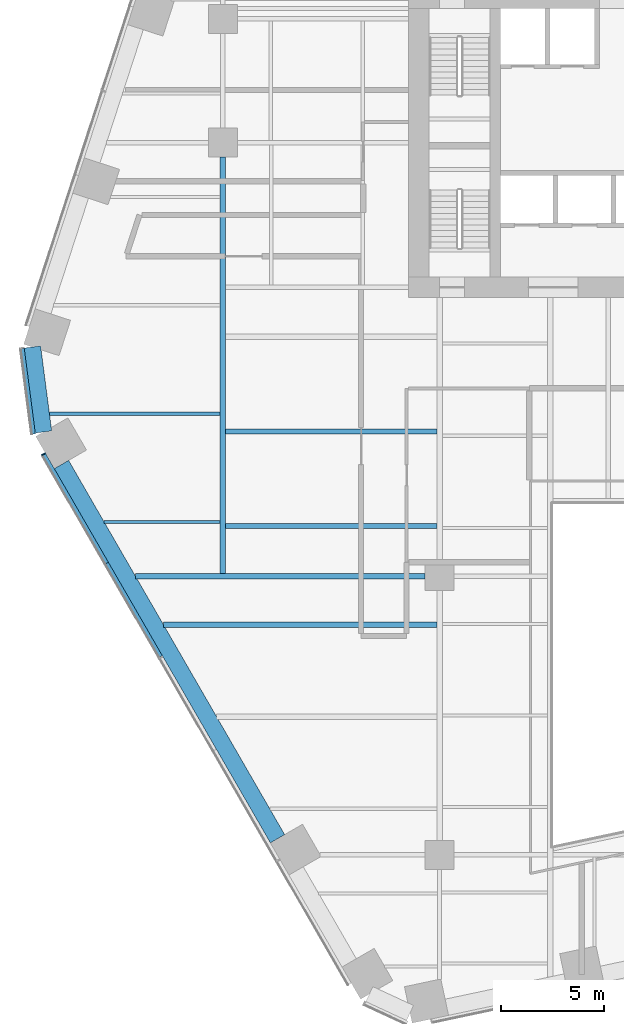
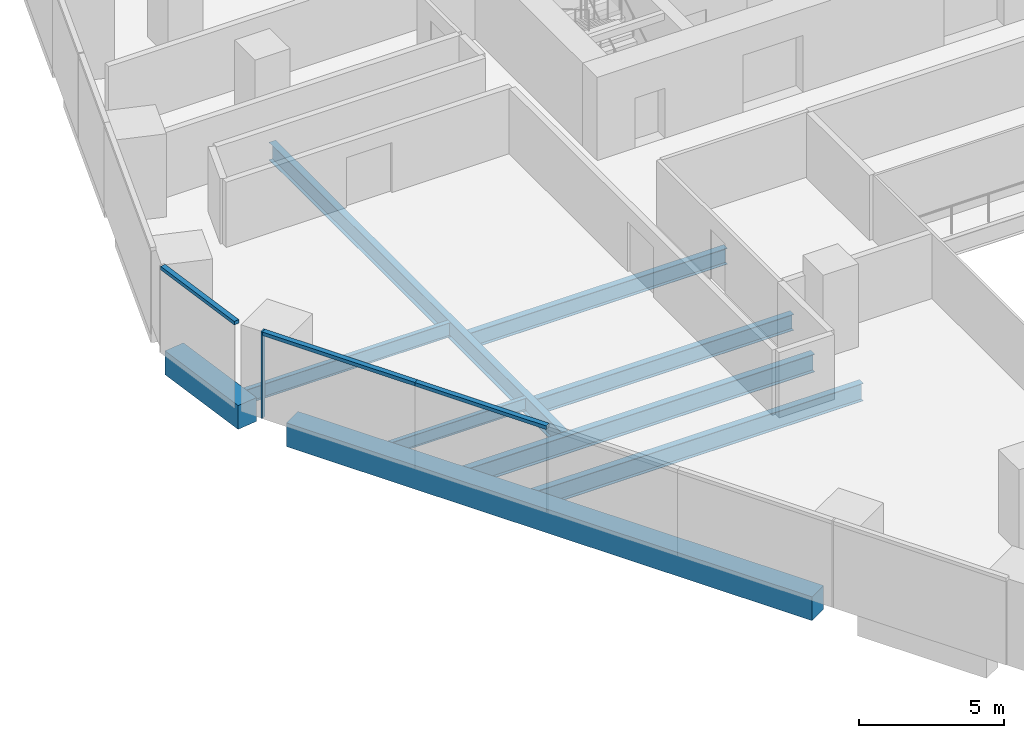
# One storey, part 3 of 21: 9 beams, 4 members, 2 elements without a shape of their own.
"""IFC4 building model written with IfcOpenShell, lengths in metres."""

from ifc_helpers import new_model, si_unit, direction, frame, origin, origin_2d, place, context, subcontext, project, spatial, rectangle, i_section, extrude, material, layer, layer_set, material_profile, profile_set, type_object, element, aggregate, save


model = new_model("IFC4")

# Units and contexts
model_context = context("Model", 3, precision=1e-05, world=origin(), true_north=direction((0.0, 1.0)))
body_context = subcontext(model_context, "Body", "Model", "MODEL_VIEW")
ifc_project = project(units=[si_unit("LENGTHUNIT", "METRE"), si_unit("AREAUNIT", "SQUARE_METRE"), si_unit("VOLUMEUNIT", "CUBIC_METRE"), si_unit("PLANEANGLEUNIT", "RADIAN"), si_unit("MASSUNIT", "GRAM", prefix="KILO")], contexts=[model_context])

# Site, building, storey
site_placement = place(None, origin())
site = spatial("IfcSite", under=ifc_project, at=site_placement, CompositionType="ELEMENT")
building_placement = place(site_placement, origin())
building = spatial("IfcBuilding", under=site, at=building_placement, Name="Isthmus Gate Tower", CompositionType="ELEMENT")
storey_placement = place(building_placement, frame((0.0, 0.0, 46.949951171875)))
storey = spatial("IfcBuildingStorey", under=building, at=storey_placement, Name="L09", CompositionType="ELEMENT", Elevation=46.949951171875)

# Curtain wall, member
ifc_material_1 = material(Name="Aluminium, pale champagne anodised", Category="aluminium")
ifc_layer = layer(ifc_material_1, 0.199951171875)
ifc_layer_set = layer_set([ifc_layer], Name="CW-1 UNITISED CURTAIN WALL 200 DEEP")
curtain_wall_type = type_object("IfcCurtainWallType", Name="CW-1 UNITISED CURTAIN WALL 200 DEEP", PredefinedType="NOTDEFINED", material=ifc_layer_set)
curtain_wall_1_placement = place(storey_placement, origin())
curtain_wall_1 = element("IfcCurtainWall", 1, at=curtain_wall_1_placement, inside=storey, type_object=curtain_wall_type, Name="CW-1 SW L09", PredefinedType="NOTDEFINED")
ifc_material_2 = material(Name="Aluminium, pale champagne anodised", Category="aluminium")
ifc_material_profile_1 = material_profile(ifc_material_2, rectangle(XDim=0.06005859375, YDim=0.199951171875, at=origin_2d()), Name="60x200")
ifc_profile_set_1 = profile_set([ifc_material_profile_1], Name="Aluminium, pale champagne anodised")
member_type_1 = type_object("IfcMemberType", Name="CW-1 MULLION 60 X 200", PredefinedType="MULLION", material=ifc_profile_set_1)
member_1_placement = place(storey_placement, frame((-32.685302734375, -7.58740234375, 0.0), z_axis=(0.0, 0.0, 1.0), x_axis=(0.5, -0.866025403784, 0.0)))
member_1 = element("IfcMember", 2, at=member_1_placement, type_object=member_type_1, Name="CW-1 mullion", PredefinedType="MULLION", context=body_context, shape_type="SweptSolid", body=[
    extrude(rectangle(XDim=0.06005859375, YDim=0.199951171875, at=origin_2d()), origin(), (0.0, 0.0, 1.0), 3.650146484375),
])

curtain_wall_2_placement = place(storey_placement, origin())
curtain_wall_2 = element("IfcCurtainWall", 3, at=curtain_wall_2_placement, inside=storey, type_object=curtain_wall_type, Name="CW-1 NW-SW L09", PredefinedType="NOTDEFINED")
ifc_material_3 = material(Name="Aluminium, pale champagne anodised", Category="aluminium")
ifc_material_profile_2 = material_profile(ifc_material_3, rectangle(XDim=0.199951171875, YDim=0.14990234375, at=origin_2d()), Name="200x150")
ifc_profile_set_2 = profile_set([ifc_material_profile_2], Name="Aluminium, pale champagne anodised")
member_type_2 = type_object("IfcMemberType", Name="CW-1 TRANSOM 200 X 150", PredefinedType="USERDEFINED", material=ifc_profile_set_2)
member_2_placement = place(storey_placement, frame((-33.71923828125, -2.474609375, 3.574951171875), z_axis=(0.129206893318, -0.991617657527, 0.0), x_axis=(0.991617657527, 0.129206893318, 0.0)))
member_2 = element("IfcMember", 4, at=member_2_placement, type_object=member_type_2, Name="CW-1 transom", ObjectType="TRANSOM", PredefinedType="USERDEFINED", context=body_context, shape_type="SweptSolid", body=[
    extrude(rectangle(XDim=0.199951171875, YDim=0.14990234375, at=origin_2d()), origin(), (0.0, 0.0, 1.0), 4.181640625),
])
aggregate(curtain_wall_2, [member_2])

# Member
member_3_placement = place(storey_placement, frame((-32.67041015625, -7.61328125, 3.574951171875), z_axis=(0.49999965181, -0.866025604812, 0.0), x_axis=(0.866025604812, 0.49999965181, 0.0)))
member_3 = element("IfcMember", 5, at=member_3_placement, type_object=member_type_2, Name="CW-1 transom", ObjectType="TRANSOM", PredefinedType="USERDEFINED", context=body_context, shape_type="SweptSolid", body=[
    extrude(rectangle(XDim=0.199951171875, YDim=0.14990234375, at=origin_2d()), origin(), (0.0, 0.0, 1.0), 6.07373046875),
])

member_4_placement = place(storey_placement, frame((-29.633544921875, -12.873291015625, 3.574951171875), z_axis=(0.500017221754, -0.866015460572, 0.0), x_axis=(0.866015460572, 0.500017221754, 0.0)))
member_4 = element("IfcMember", 6, at=member_4_placement, type_object=member_type_2, Name="CW-1 transom", ObjectType="TRANSOM", PredefinedType="USERDEFINED", context=body_context, shape_type="SweptSolid", body=[
    extrude(rectangle(XDim=0.199951171875, YDim=0.14990234375, at=origin_2d()), origin(), (0.0, 0.0, 1.0), 5.233642578125),
])

aggregate(curtain_wall_1, [member_1, member_3, member_4])

# Beams
ifc_material_4 = material(Name="Concrete f'c 70 MPa", Category="concrete")
ifc_material_profile_3 = material_profile(ifc_material_4, rectangle(XDim=0.800048828125, YDim=1.0, at=origin_2d()), Name="RC 800X1000")
ifc_profile_set_3 = profile_set([ifc_material_profile_3], Name="Concrete f'c 70 MPa")
beam_type_1 = type_object("IfcBeamType", Name="RC SPANDREL 800 X 1000", PredefinedType="SPANDREL", material=ifc_profile_set_3)
beam_1_placement = place(storey_placement, frame((-21.35009765625, -26.220458984375, -0.5), z_axis=(-0.500004778811, 0.866022644719, 0.0), x_axis=(-0.866022644719, -0.500004778811, 0.0)))
element("IfcBeam", 7, at=beam_1_placement, inside=storey, type_object=beam_type_1, Name="str-spandrel-L09-16", PredefinedType="SPANDREL", context=body_context, shape_type="SweptSolid", body=[
    extrude(rectangle(XDim=0.800048828125, YDim=1.0, at=origin_2d()), origin(), (0.0, 0.0, 1.0), 20.934326171875),
])
beam_2_placement = place(storey_placement, frame((-32.6884765625, -6.515380859375, -0.5), z_axis=(-0.129170777359, 0.991622362735, 0.0), x_axis=(-0.991622362735, -0.129170777359, 0.0)))
element("IfcBeam", 8, at=beam_2_placement, inside=storey, type_object=beam_type_1, Name="str-spandrel-L09-17", PredefinedType="SPANDREL", context=body_context, shape_type="SweptSolid", body=[
    extrude(rectangle(XDim=0.800048828125, YDim=1.0, at=origin_2d()), origin(), (0.0, 0.0, 1.0), 4.15234375),
])
ifc_material_5 = material(Name="Structural steel ASTM A992 Gr 50", Category="steel")
ifc_material_profile_4 = material_profile(ifc_material_5, i_section(OverallWidth=0.1650390625, OverallDepth=0.52392578125, WebThickness=0.009521484375, FlangeThickness=0.010986328125, at=origin_2d()), Name="W21X44")
ifc_profile_set_4 = profile_set([ifc_material_profile_4], Name="Structural steel ASTM A992 Gr 50")
beam_type_2 = type_object("IfcBeamType", Name="STEEL FLOOR BEAM W21X44", PredefinedType="JOIST", material=ifc_profile_set_4)
beam_3_placement = place(storey_placement, frame((-29.748046875, -10.875, -0.411865234375), z_axis=(1.0, 0.0, 0.0), x_axis=(0.0, 1.0, 0.0)))
element("IfcBeam", 9, at=beam_3_placement, inside=storey, type_object=beam_type_2, Name="str-beam-L09-00-00", PredefinedType="JOIST", context=body_context, shape_type="SweptSolid", body=[
    extrude(i_section(OverallWidth=0.1650390625, OverallDepth=0.52392578125, WebThickness=0.009521484375, FlangeThickness=0.010986328125, at=origin_2d()), origin(), (0.0, 0.0, 1.0), 5.61474609375),
])
ifc_material_6 = material(Name="Structural steel ASTM A992 Gr 50", Category="steel")
ifc_material_profile_5 = material_profile(ifc_material_6, i_section(OverallWidth=0.177734375, OverallDepth=0.60009765625, WebThickness=0.009521484375, FlangeThickness=0.0126953125, at=origin_2d()), Name="W24X55")
ifc_profile_set_5 = profile_set([ifc_material_profile_5], Name="Structural steel ASTM A992 Gr 50")
beam_type_3 = type_object("IfcBeamType", Name="STEEL FLOOR BEAM W24X55", PredefinedType="JOIST", material=ifc_profile_set_5)
beam_4_placement = place(storey_placement, frame((-32.401123046875, -5.625, -0.449951171875), z_axis=(1.0, 0.0, 0.0), x_axis=(0.0, 1.0, 0.0)))
element("IfcBeam", 10, at=beam_4_placement, inside=storey, type_object=beam_type_3, Name="str-beam-L09-00-01", PredefinedType="JOIST", context=body_context, shape_type="SweptSolid", body=[
    extrude(i_section(OverallWidth=0.177734375, OverallDepth=0.60009765625, WebThickness=0.009521484375, FlangeThickness=0.0126953125, at=origin_2d()), origin(), (0.0, 0.0, 1.0), 8.267822265625),
])
ifc_material_7 = material(Name="Structural steel ASTM A992 Gr 50", Category="steel")
ifc_material_profile_6 = material_profile(ifc_material_7, i_section(OverallWidth=0.25390625, OverallDepth=0.679443359375, WebThickness=0.010986328125, FlangeThickness=0.015869140625, at=origin_2d()), Name="W27X84")
ifc_profile_set_6 = profile_set([ifc_material_profile_6], Name="Structural steel ASTM A992 Gr 50")
beam_type_4 = type_object("IfcBeamType", Name="STEEL FLOOR BEAM W27X84", PredefinedType="JOIST", material=ifc_profile_set_6)
for number, where, z_axis, x_axis, name in (
    (11, (-23.86669921875, -11.07470703125, -0.48974609375), (1.0, 0.0, 0.0), (0.0, 1.0, 0.0), "str-beam-L09-07-00"),
    (12, (-23.86669921875, -6.490478515625, -0.48974609375), (1.0, 0.0, 0.0), (0.0, 1.0, 0.0), "str-beam-L09-07-01"),
):
    element("IfcBeam", number, at=place(storey_placement, frame(where, z_axis=z_axis, x_axis=x_axis)), inside=storey, type_object=beam_type_4, Name=name, PredefinedType="JOIST", context=body_context, shape_type="SweptSolid", body=[
        extrude(i_section(OverallWidth=0.25390625, OverallDepth=0.679443359375, WebThickness=0.010986328125, FlangeThickness=0.015869140625, at=origin_2d()), origin(), (0.0, 0.0, 1.0), 10.23486328125),
    ])
ifc_material_8 = material(Name="Structural steel ASTM A992 Gr 50", Category="steel")
ifc_material_profile_7 = material_profile(ifc_material_8, i_section(OverallWidth=0.263427734375, OverallDepth=0.749267578125, WebThickness=0.0126953125, FlangeThickness=0.015869140625, at=origin_2d()), Name="W30X90")
ifc_profile_set_7 = profile_set([ifc_material_profile_7], Name="Structural steel ASTM A992 Gr 50")
beam_type_5 = type_object("IfcBeamType", Name="STEEL FLOOR BEAM W30X90", PredefinedType="JOIST", material=ifc_profile_set_7)
beam_5_placement = place(storey_placement, frame((-26.869140625, -15.861083984375, -0.524658203125), z_axis=(1.0, 0.0, 0.0), x_axis=(0.0, 1.0, 0.0)))
element("IfcBeam", 13, at=beam_5_placement, inside=storey, type_object=beam_type_5, Name="str-beam-L09-05-02", PredefinedType="JOIST", context=body_context, shape_type="SweptSolid", body=[
    extrude(i_section(OverallWidth=0.263427734375, OverallDepth=0.749267578125, WebThickness=0.0126953125, FlangeThickness=0.015869140625, at=origin_2d()), origin(), (0.0, 0.0, 1.0), 13.2373046875),
])
ifc_material_9 = material(Name="Structural steel ASTM A992 Gr 50", Category="steel")
ifc_material_profile_8 = material_profile(ifc_material_9, i_section(OverallWidth=0.2666015625, OverallDepth=0.7587890625, WebThickness=0.014404296875, FlangeThickness=0.01904296875, at=origin_2d()), Name="W30X108")
ifc_profile_set_8 = profile_set([ifc_material_profile_8], Name="Structural steel ASTM A992 Gr 50")
beam_type_6 = type_object("IfcBeamType", Name="STEEL GIRDER W30X108", PredefinedType="BEAM", material=ifc_profile_set_8)
beam_6_placement = place(storey_placement, frame((-28.232421875, -13.5, -0.529296875), z_axis=(1.0, 0.0, 0.0), x_axis=(0.0, 1.0, 0.0)))
element("IfcBeam", 14, at=beam_6_placement, inside=storey, type_object=beam_type_6, Name="str-girder-L09-05", PredefinedType="BEAM", context=body_context, shape_type="SweptSolid", body=[
    extrude(i_section(OverallWidth=0.2666015625, OverallDepth=0.7587890625, WebThickness=0.014404296875, FlangeThickness=0.01904296875, at=origin_2d()), origin(), (0.0, 0.0, 1.0), 14.032470703125),
])
beam_7_placement = place(storey_placement, frame((-24.0, -13.36669921875, -0.529296875), z_axis=(0.0, 1.0, 0.0), x_axis=(-1.0, 0.0, 0.0)))
element("IfcBeam", 15, at=beam_7_placement, inside=storey, type_object=beam_type_6, Name="str-girder-L09-20", PredefinedType="BEAM", context=body_context, shape_type="SweptSolid", body=[
    extrude(i_section(OverallWidth=0.2666015625, OverallDepth=0.7587890625, WebThickness=0.014404296875, FlangeThickness=0.01904296875, at=origin_2d()), origin(), (0.0, 0.0, 1.0), 20.166748046875),
])

save(model, "model.ifc")
